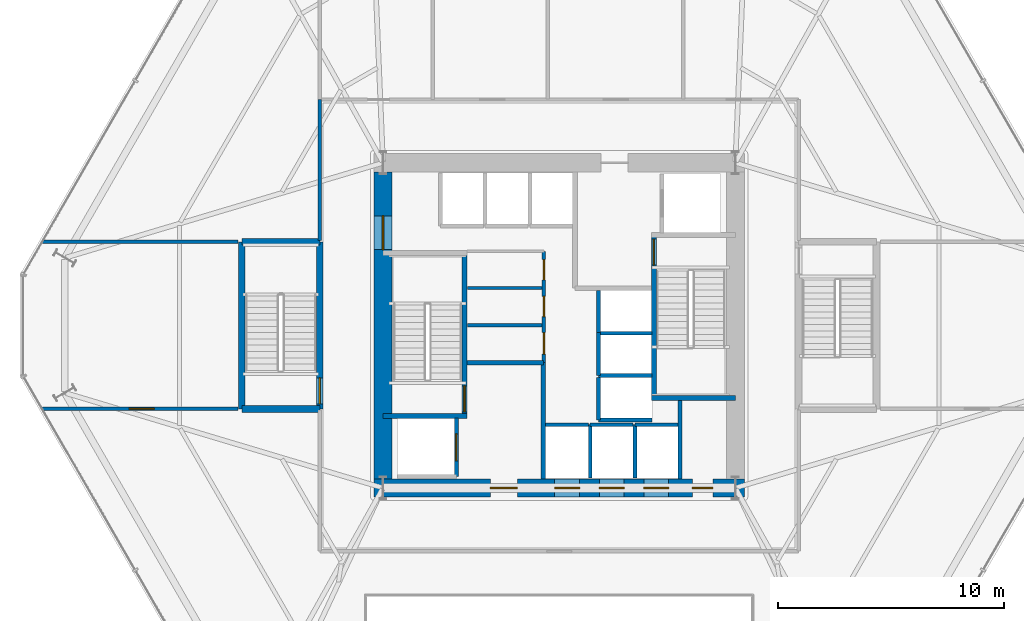
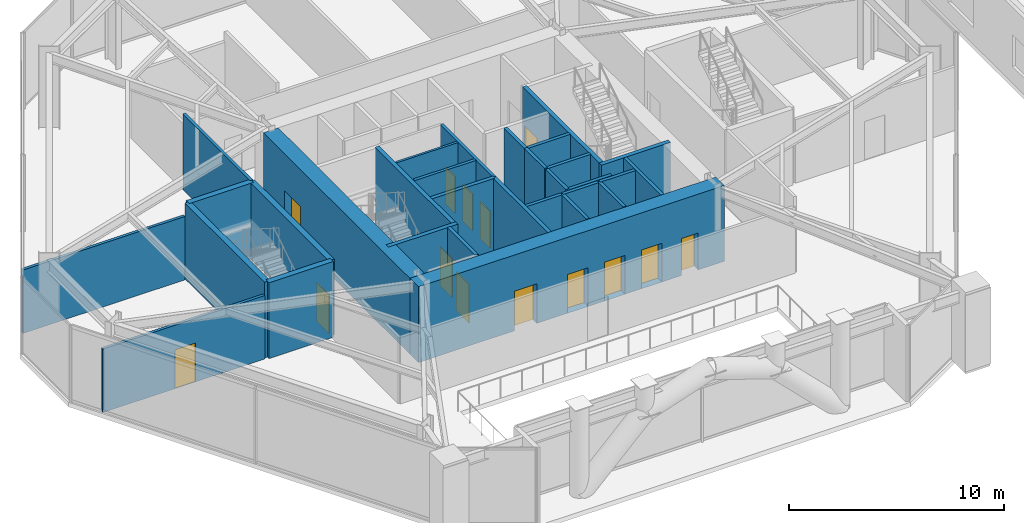
# One storey, part 16 of 23: 31 walls, 14 doors, 14 openings.
"""IFC4 building model written with IfcOpenShell, lengths in metres."""

from ifc_helpers import new_model, si_unit, direction, frame, frame_2d, origin, place, context, subcontext, project, spatial, rectangle, extrude, material, layer, layer_set, type_object, element, fill, save


model = new_model("IFC4")

# Units and contexts
model_context = context("Model", 3, precision=1e-05, world=origin(), true_north=direction((0.0, 1.0)))
body_context = subcontext(model_context, "Body", "Model", "MODEL_VIEW")
ifc_project = project(units=[si_unit("LENGTHUNIT", "METRE"), si_unit("AREAUNIT", "SQUARE_METRE"), si_unit("VOLUMEUNIT", "CUBIC_METRE"), si_unit("PLANEANGLEUNIT", "RADIAN"), si_unit("MASSUNIT", "GRAM", prefix="KILO")], contexts=[model_context])

# Site, building, storey
site_placement = place(None, origin())
site = spatial("IfcSite", under=ifc_project, at=site_placement, CompositionType="ELEMENT")
building_placement = place(site_placement, origin())
building = spatial("IfcBuilding", under=site, at=building_placement, Name="Kranzbogen Civic Tower", CompositionType="ELEMENT")
storey_placement = place(building_placement, frame((0.0, 0.0, 14.39990234375)))
storey = spatial("IfcBuildingStorey", under=building, at=storey_placement, Name="L03", CompositionType="ELEMENT", Elevation=14.39990234375)

# Wall
ifc_material_1 = material(Name="Double-Stud Acoustic Gypsum Partition")
ifc_layer_1 = layer(ifc_material_1, 0.14990234375, Name="Double-Stud Acoustic Gypsum Partition")
ifc_layer_set_1 = layer_set([ifc_layer_1], Name="Double-Stud Acoustic Gypsum Partition")
wall_type_1 = type_object("IfcWallType", Name="Acoustic Corridor and Clinical Partition 150 mm", PredefinedType="PARTITIONING", material=ifc_layer_set_1)
wall_1_placement = place(storey_placement, frame((14.39990234375, 28.75, 0.0), z_axis=(0.0, 0.0, 1.0), x_axis=(0.0, 1.0, 0.0)))
element("IfcWall", 1, at=wall_1_placement, inside=storey, type_object=wall_type_1, Name="L03 podium concourse W2 wall", PredefinedType="PARTITIONING", context=body_context, shape_type="SweptSolid", body=[
    extrude(rectangle(XDim=6.25, YDim=0.14990234375, at=frame_2d((3.125, 0.0))), origin(), (0.0, 0.0, 1.0), 4.300048828125),
])

# Wall, opening, door
wall_2_placement = place(storey_placement, frame((2.080078125, 21.300048828125, 0.0), z_axis=(0.0, 0.0, 1.0), x_axis=(1.0, 0.0, 0.0)))
wall_2 = element("IfcWall", 2, at=wall_2_placement, inside=storey, type_object=wall_type_1, Name="L03 podium partition 04", PredefinedType="PARTITIONING", context=body_context, shape_type="SweptSolid", body=[
    extrude(rectangle(XDim=8.68994140625, YDim=0.14990234375, at=frame_2d((4.344970703125, 0.0))), origin(), (0.0, 0.0, 1.0), 3.60009765625),
])
opening_1_placement = place(wall_2_placement, frame((3.884033203125, 0.0, 0.0)))
opening_1 = element("IfcOpeningElement", 3, at=opening_1_placement, cuts=wall_2, Name="Opening D-COR60", PredefinedType="OPENING", context=body_context, shape_type="SweptSolid", body=[
    extrude(rectangle(XDim=1.10009765625, YDim=2.199951171875, at=frame_2d((0.550048828125, 1.10009765625))), frame((0.0, 0.0849609375, 0.0), z_axis=(0.0, -1.0, 0.0), x_axis=(1.0, 0.0, 0.0)), (0.0, 0.0, 1.0), 0.169921875),
])
ifc_material_2 = material(Name="Oak Timber and Fire Core", Category="wood")
door_type_1 = type_object("IfcDoorType", Name="Corridor Acoustic Fire Door 1100x2200", OperationType="NOTDEFINED", PredefinedType="DOOR", material=ifc_material_2)
door_1_placement = place(opening_1_placement, origin())
door_1 = element("IfcDoor", 4, at=door_1_placement, inside=storey, type_object=door_type_1, Name="L03 Committee Secretariat door", OperationType="SINGLE_SWING_RIGHT", OverallHeight=2.199951171875, OverallWidth=1.10009765625, PredefinedType="DOOR", context=body_context, shape_type="SweptSolid", body=[
    extrude(rectangle(XDim=1.10009765625, YDim=2.199951171875, at=frame_2d((0.550048828125, 1.10009765625))), frame((0.0, 0.02490234375, 0.0), z_axis=(0.0, -1.0, 0.0), x_axis=(1.0, 0.0, 0.0)), (0.0, 0.0, 1.0), 0.050048828125),
])
fill(opening_1, door_1)

# Walls
wall_3_placement = place(storey_placement, frame((2.080078125, 28.699951171875, 0.0), z_axis=(0.0, 0.0, 1.0), x_axis=(1.0, 0.0, 0.0)))
element("IfcWall", 5, at=wall_3_placement, inside=storey, type_object=wall_type_1, Name="L03 podium partition 05", PredefinedType="PARTITIONING", context=body_context, shape_type="SweptSolid", body=[
    extrude(rectangle(XDim=8.68994140625, YDim=0.14990234375, at=frame_2d((4.344970703125, 0.0))), origin(), (0.0, 0.0, 1.0), 3.60009765625),
])
ifc_material_3 = material(Name="Insulated Metal-Stud Gypsum Partition")
ifc_layer_2 = layer(ifc_material_3, 0.125, Name="Insulated Metal-Stud Gypsum Partition")
ifc_layer_set_2 = layer_set([ifc_layer_2], Name="Insulated Metal-Stud Gypsum Partition")
wall_type_2 = type_object("IfcWallType", Name="Acoustic Inter-Room Partition 125 mm", PredefinedType="PARTITIONING", material=ifc_layer_set_2)
wall_4_placement = place(storey_placement, frame((20.949951171875, 26.659912109375, 0.0), z_axis=(0.0, 0.0, 1.0), x_axis=(1.0, 0.0, 0.0)))
element("IfcWall", 6, at=wall_4_placement, inside=storey, type_object=wall_type_2, Name="L03 core auxiliary partition 2", PredefinedType="PARTITIONING", context=body_context, shape_type="SweptSolid", body=[
    extrude(rectangle(XDim=3.300048828125, YDim=0.125, at=frame_2d((1.64990234375, 0.0))), origin(), (0.0, 0.0, 1.0), 4.300048828125),
])

# Wall, openings, doors
ifc_material_4 = material(Name="Concrete C55/67", Category="concrete")
ifc_layer_3 = layer(ifc_material_4, 0.800048828125, Name="Concrete C55/67")
ifc_layer_set_3 = layer_set([ifc_layer_3], Name="Concrete C55/67")
wall_type_3 = type_object("IfcWallType", Name="Central Core Shear Wall 800 mm", PredefinedType="SHEAR", material=ifc_layer_set_3)
wall_5_placement = place(storey_placement, frame((16.800048828125, 17.800048828125, 0.0), z_axis=(0.0, 0.0, 1.0), x_axis=(1.0, 0.0, 0.0)))
wall_5 = element("IfcWall", 7, at=wall_5_placement, inside=storey, type_object=wall_type_3, Name="L03 central core South shear wall", PredefinedType="SHEAR", context=body_context, shape_type="SweptSolid", body=[
    extrude(rectangle(XDim=16.39990234375, YDim=0.800048828125, at=frame_2d((8.199951171875, 0.0))), origin(), (0.0, 0.0, 1.0), 4.300048828125),
])
opening_2_placement = place(wall_5_placement, frame((5.14990234375, 0.0, 0.0)))
opening_2 = element("IfcOpeningElement", 8, at=opening_2_placement, cuts=wall_5, Name="Opening D-EX120", PredefinedType="OPENING", context=body_context, shape_type="SweptSolid", body=[
    extrude(rectangle(XDim=1.199951171875, YDim=2.25, at=frame_2d((0.60009765625, 1.125))), frame((0.0, 0.41015625, 0.0), z_axis=(0.0, -1.0, 0.0), x_axis=(1.0, 0.0, 0.0)), (0.0, 0.0, 1.0), 0.820068359375),
])
opening_3_placement = place(wall_5_placement, frame((14.10009765625, 0.0, 0.0)))
opening_3 = element("IfcOpeningElement", 9, at=opening_3_placement, cuts=wall_5, Name="Opening D-WC90", PredefinedType="OPENING", context=body_context, shape_type="SweptSolid", body=[
    extrude(rectangle(XDim=0.89990234375, YDim=2.10009765625, at=frame_2d((0.449951171875, 1.050048828125))), frame((0.0, 0.41015625, 0.0), z_axis=(0.0, -1.0, 0.0), x_axis=(1.0, 0.0, 0.0)), (0.0, 0.0, 1.0), 0.820068359375),
])
opening_4_placement = place(wall_5_placement, frame((8.0, 0.0, 0.0)))
opening_4 = element("IfcOpeningElement", 10, at=opening_4_placement, cuts=wall_5, Name="Opening LD-LP-01", PredefinedType="OPENING", context=body_context, shape_type="SweptSolid", body=[
    extrude(rectangle(XDim=1.10009765625, YDim=2.199951171875, at=frame_2d((0.550048828125, 1.10009765625))), frame((0.0, 0.41015625, 0.0), z_axis=(0.0, -1.0, 0.0), x_axis=(1.0, 0.0, 0.0)), (0.0, 0.0, 1.0), 0.820068359375),
])
opening_5_placement = place(wall_5_placement, frame((9.97509765625, 0.0, 0.0)))
opening_5 = element("IfcOpeningElement", 11, at=opening_5_placement, cuts=wall_5, Name="Opening LD-LP-02", PredefinedType="OPENING", context=body_context, shape_type="SweptSolid", body=[
    extrude(rectangle(XDim=1.10009765625, YDim=2.199951171875, at=frame_2d((0.550048828125, 1.10009765625))), frame((0.0, 0.41015625, 0.0), z_axis=(0.0, -1.0, 0.0), x_axis=(1.0, 0.0, 0.0)), (0.0, 0.0, 1.0), 0.820068359375),
])
opening_6_placement = place(wall_5_placement, frame((11.949951171875, 0.0, 0.0)))
opening_6 = element("IfcOpeningElement", 12, at=opening_6_placement, cuts=wall_5, Name="Opening LD-LP-03", PredefinedType="OPENING", context=body_context, shape_type="SweptSolid", body=[
    extrude(rectangle(XDim=1.10009765625, YDim=2.199951171875, at=frame_2d((0.550048828125, 1.10009765625))), frame((0.0, 0.41015625, 0.0), z_axis=(0.0, -1.0, 0.0), x_axis=(1.0, 0.0, 0.0)), (0.0, 0.0, 1.0), 0.820068359375),
])
ifc_material_5 = material(Name="Steel S355", Category="steel")
door_type_2 = type_object("IfcDoorType", Name="Exit Passageway Fire Door 1200x2250", OperationType="NOTDEFINED", PredefinedType="DOOR", material=ifc_material_5)
door_2_placement = place(opening_2_placement, origin())
door_2 = element("IfcDoor", 13, at=door_2_placement, inside=storey, type_object=door_type_2, Name="L03 West firefighting lobby corridor door", OperationType="SINGLE_SWING_RIGHT", OverallHeight=2.25, OverallWidth=1.199951171875, PredefinedType="DOOR", context=body_context, shape_type="SweptSolid", body=[
    extrude(rectangle(XDim=1.199951171875, YDim=2.25, at=frame_2d((0.60009765625, 1.125))), frame((0.0, 0.02490234375, 0.0), z_axis=(0.0, -1.0, 0.0), x_axis=(1.0, 0.0, 0.0)), (0.0, 0.0, 1.0), 0.050048828125),
])
fill(opening_2, door_2)
ifc_material_6 = material(Name="Pale Anodised Aluminium", Category="aluminium")
door_type_3 = type_object("IfcDoorType", Name="Passenger Lift Sliding Landing Door 1100x2200", OperationType="DOUBLE_DOOR_SLIDING", PredefinedType="DOOR", material=ifc_material_6)
door_3_placement = place(opening_4_placement, origin())
door_3 = element("IfcDoor", 14, at=door_3_placement, inside=storey, type_object=door_type_3, Name="L03 lift LP-01 sliding landing door", OperationType="DOUBLE_DOOR_SLIDING", OverallHeight=2.199951171875, OverallWidth=1.10009765625, PredefinedType="DOOR", context=body_context, shape_type="SweptSolid", body=[
    extrude(rectangle(XDim=1.10009765625, YDim=2.199951171875, at=frame_2d((0.550048828125, 1.10009765625))), frame((0.0, 0.02490234375, 0.0), z_axis=(0.0, -1.0, 0.0), x_axis=(1.0, 0.0, 0.0)), (0.0, 0.0, 1.0), 0.050048828125),
])
fill(opening_4, door_3)
door_4_placement = place(opening_5_placement, origin())
door_4 = element("IfcDoor", 15, at=door_4_placement, inside=storey, type_object=door_type_3, Name="L03 lift LP-02 sliding landing door", OperationType="DOUBLE_DOOR_SLIDING", OverallHeight=2.199951171875, OverallWidth=1.10009765625, PredefinedType="DOOR", context=body_context, shape_type="SweptSolid", body=[
    extrude(rectangle(XDim=1.10009765625, YDim=2.199951171875, at=frame_2d((0.550048828125, 1.10009765625))), frame((0.0, 0.02490234375, 0.0), z_axis=(0.0, -1.0, 0.0), x_axis=(1.0, 0.0, 0.0)), (0.0, 0.0, 1.0), 0.050048828125),
])
fill(opening_5, door_4)
door_5_placement = place(opening_6_placement, origin())
door_5 = element("IfcDoor", 16, at=door_5_placement, inside=storey, type_object=door_type_3, Name="L03 lift LP-03 sliding landing door", OperationType="DOUBLE_DOOR_SLIDING", OverallHeight=2.199951171875, OverallWidth=1.10009765625, PredefinedType="DOOR", context=body_context, shape_type="SweptSolid", body=[
    extrude(rectangle(XDim=1.10009765625, YDim=2.199951171875, at=frame_2d((0.550048828125, 1.10009765625))), frame((0.0, 0.02490234375, 0.0), z_axis=(0.0, -1.0, 0.0), x_axis=(1.0, 0.0, 0.0)), (0.0, 0.0, 1.0), 0.050048828125),
])
fill(opening_6, door_5)
ifc_material_7 = material(Name="Moisture-Resistant Laminate")
door_type_4 = type_object("IfcDoorType", Name="Standard Restroom and Store Door 900x2100", OperationType="NOTDEFINED", PredefinedType="DOOR", material=ifc_material_7)
door_6_placement = place(opening_3_placement, origin())
door_6 = element("IfcDoor", 17, at=door_6_placement, inside=storey, type_object=door_type_4, Name="L03 East electrical riser access door", OperationType="SINGLE_SWING_LEFT", OverallHeight=2.10009765625, OverallWidth=0.89990234375, PredefinedType="DOOR", context=body_context, shape_type="SweptSolid", body=[
    extrude(rectangle(XDim=0.89990234375, YDim=2.10009765625, at=frame_2d((0.449951171875, 1.050048828125))), frame((0.0, 0.02490234375, 0.0), z_axis=(0.0, -1.0, 0.0), x_axis=(1.0, 0.0, 0.0)), (0.0, 0.0, 1.0), 0.050048828125),
])
fill(opening_3, door_6)

# Wall, opening, door
wall_6_placement = place(storey_placement, frame((17.199951171875, 31.800048828125, 0.0), z_axis=(0.0, 0.0, 1.0), x_axis=(0.0, -1.0, 0.0)))
wall_6 = element("IfcWall", 18, at=wall_6_placement, inside=storey, type_object=wall_type_3, Name="L03 central core West shear wall", PredefinedType="SHEAR", context=body_context, shape_type="SweptSolid", body=[
    extrude(rectangle(XDim=13.60009765625, YDim=0.800048828125, at=frame_2d((6.800048828125, 0.0))), origin(), (0.0, 0.0, 1.0), 4.300048828125),
])
opening_7_placement = place(wall_6_placement, frame((1.949951171875, 0.0, 0.0)))
opening_7 = element("IfcOpeningElement", 19, at=opening_7_placement, cuts=wall_6, Name="Opening D-DBL15", PredefinedType="OPENING", context=body_context, shape_type="SweptSolid", body=[
    extrude(rectangle(XDim=1.5, YDim=2.199951171875, at=frame_2d((0.75, 1.10009765625))), frame((0.0, 0.41015625, 0.0), z_axis=(0.0, -1.0, 0.0), x_axis=(1.0, 0.0, 0.0)), (0.0, 0.0, 1.0), 0.820068359375),
])
ifc_material_8 = material(Name="Anodised Bronze and Glass", Category="glass")
door_type_5 = type_object("IfcDoorType", Name="Civic Lobby Double Door 1500x2200", OperationType="DOUBLE_DOOR_SINGLE_SWING", PredefinedType="DOOR", material=ifc_material_8)
door_7_placement = place(opening_7_placement, origin())
door_7 = element("IfcDoor", 20, at=door_7_placement, inside=storey, type_object=door_type_5, Name="L03 Central Lift Lobby West concourse door", OperationType="DOUBLE_DOOR_SINGLE_SWING", OverallHeight=2.199951171875, OverallWidth=1.5, PredefinedType="DOOR", context=body_context, shape_type="SweptSolid", body=[
    extrude(rectangle(XDim=1.5, YDim=2.199951171875, at=frame_2d((0.75, 1.10009765625))), frame((0.0, 0.02490234375, 0.0), z_axis=(0.0, -1.0, 0.0), x_axis=(1.0, 0.0, 0.0)), (0.0, 0.0, 1.0), 0.050048828125),
])
fill(opening_7, door_7)

ifc_material_9 = material(Name="Concrete C45/55", Category="concrete")
ifc_layer_4 = layer(ifc_material_9, 0.219970703125, Name="Concrete C45/55")
ifc_layer_set_4 = layer_set([ifc_layer_4], Name="Concrete C45/55")
wall_type_4 = type_object("IfcWallType", Name="Core Internal Stair Structural Wall 220 mm", PredefinedType="SOLIDWALL", material=ifc_layer_set_4)
wall_7_placement = place(storey_placement, frame((20.81005859375, 20.989990234375, 0.0), z_axis=(0.0, 0.0, 1.0), x_axis=(0.0, 1.0, 0.0)))
wall_7 = element("IfcWall", 21, at=wall_7_placement, inside=storey, type_object=wall_type_4, Name="L03 ST-T1 East structural stair wall", PredefinedType="SOLIDWALL", context=body_context, shape_type="SweptSolid", body=[
    extrude(rectangle(XDim=7.219970703125, YDim=0.219970703125, at=frame_2d((3.60986328125, 0.0))), origin(), (0.0, 0.0, 1.0), 4.300048828125),
])
opening_8_placement = place(wall_7_placement, frame((0.179931640625, 0.0, 0.0)))
opening_8 = element("IfcOpeningElement", 22, at=opening_8_placement, cuts=wall_7, Name="Opening D-ST90", PredefinedType="OPENING", context=body_context, shape_type="SweptSolid", body=[
    extrude(rectangle(XDim=1.14990234375, YDim=2.199951171875, at=frame_2d((0.574951171875, 1.10009765625))), frame((0.0, 0.1201171875, 0.0), z_axis=(0.0, -1.0, 0.0), x_axis=(1.0, 0.0, 0.0)), (0.0, 0.0, 1.0), 0.239990234375),
])
door_type_6 = type_object("IfcDoorType", Name="Pressurized Stair and Lobby Fire Door 1150x2200", OperationType="NOTDEFINED", PredefinedType="DOOR", material=ifc_material_5)
door_8_placement = place(opening_8_placement, origin())
door_8 = element("IfcDoor", 23, at=door_8_placement, inside=storey, type_object=door_type_6, Name="L03 Stair ST-T1 fire door", OperationType="SINGLE_SWING_RIGHT", OverallHeight=2.199951171875, OverallWidth=1.14990234375, PredefinedType="DOOR", context=body_context, shape_type="SweptSolid", body=[
    extrude(rectangle(XDim=1.14990234375, YDim=2.199951171875, at=frame_2d((0.574951171875, 1.10009765625))), frame((0.0, 0.02490234375, 0.0), z_axis=(0.0, -1.0, 0.0), x_axis=(1.0, 0.0, 0.0)), (0.0, 0.0, 1.0), 0.050048828125),
])
fill(opening_8, door_8)

# Wall
wall_8_placement = place(storey_placement, frame((17.199951171875, 20.989990234375, 0.0), z_axis=(0.0, 0.0, 1.0), x_axis=(1.0, 0.0, 0.0)))
element("IfcWall", 24, at=wall_8_placement, inside=storey, type_object=wall_type_4, Name="L03 ST-T1 South structural stair wall", PredefinedType="SOLIDWALL", context=body_context, shape_type="SweptSolid", body=[
    extrude(rectangle(XDim=3.719970703125, YDim=0.219970703125, at=frame_2d((1.85986328125, 0.0))), origin(), (0.0, 0.0, 1.0), 4.300048828125),
])

# Wall, opening, door
wall_9_placement = place(storey_placement, frame((29.18994140625, 21.7900390625, 0.0), z_axis=(0.0, 0.0, 1.0), x_axis=(0.0, 1.0, 0.0)))
wall_9 = element("IfcWall", 25, at=wall_9_placement, inside=storey, type_object=wall_type_4, Name="L03 ST-T2 West structural stair wall", PredefinedType="SOLIDWALL", context=body_context, shape_type="SweptSolid", body=[
    extrude(rectangle(XDim=7.219970703125, YDim=0.219970703125, at=frame_2d((3.60986328125, 0.0))), origin(), (0.0, 0.0, 1.0), 4.300048828125),
])
opening_9_placement = place(wall_9_placement, frame((5.8798828125, 0.0, 0.0)))
opening_9 = element("IfcOpeningElement", 26, at=opening_9_placement, cuts=wall_9, Name="Opening D-ST90", PredefinedType="OPENING", context=body_context, shape_type="SweptSolid", body=[
    extrude(rectangle(XDim=1.14990234375, YDim=2.199951171875, at=frame_2d((0.574951171875, 1.10009765625))), frame((0.0, 0.1201171875, 0.0), z_axis=(0.0, -1.0, 0.0), x_axis=(1.0, 0.0, 0.0)), (0.0, 0.0, 1.0), 0.239990234375),
])
door_9_placement = place(opening_9_placement, origin())
door_9 = element("IfcDoor", 27, at=door_9_placement, inside=storey, type_object=door_type_6, Name="L03 Stair ST-T2 fire door", OperationType="SINGLE_SWING_LEFT", OverallHeight=2.199951171875, OverallWidth=1.14990234375, PredefinedType="DOOR", context=body_context, shape_type="SweptSolid", body=[
    extrude(rectangle(XDim=1.14990234375, YDim=2.199951171875, at=frame_2d((0.574951171875, 1.10009765625))), frame((0.0, 0.02490234375, 0.0), z_axis=(0.0, -1.0, 0.0), x_axis=(1.0, 0.0, 0.0)), (0.0, 0.0, 1.0), 0.050048828125),
])
fill(opening_9, door_9)

# Walls
wall_10_placement = place(storey_placement, frame((29.080078125, 21.7900390625, 0.0), z_axis=(0.0, 0.0, 1.0), x_axis=(1.0, 0.0, 0.0)))
element("IfcWall", 28, at=wall_10_placement, inside=storey, type_object=wall_type_4, Name="L03 ST-T2 South structural stair wall", PredefinedType="SOLIDWALL", context=body_context, shape_type="SweptSolid", body=[
    extrude(rectangle(XDim=3.719970703125, YDim=0.219970703125, at=frame_2d((1.85986328125, 0.0))), origin(), (0.0, 0.0, 1.0), 4.300048828125),
])
ifc_material_10 = material(Name="Gypsum Fireboard and Concrete Block", Category="concrete")
ifc_layer_5 = layer(ifc_material_10, 0.199951171875, Name="Gypsum Fireboard and Concrete Block")
ifc_layer_set_5 = layer_set([ifc_layer_5], Name="Gypsum Fireboard and Concrete Block")
wall_type_5 = type_object("IfcWallType", Name="Fire-Rated Exit Passageway and Stair Wall 200 mm", PredefinedType="PARTITIONING", material=ifc_layer_set_5)
wall_11_placement = place(storey_placement, frame((24.300048828125, 18.199951171875, 0.0), z_axis=(0.0, 0.0, 1.0), x_axis=(0.0, 1.0, 0.0)))
element("IfcWall", 29, at=wall_11_placement, inside=storey, type_object=wall_type_5, Name="L03 West firefighting lobby East wall", PredefinedType="PARTITIONING", context=body_context, shape_type="SweptSolid", body=[
    extrude(rectangle(XDim=5.150146484375, YDim=0.199951171875, at=frame_2d((2.5751953125, 0.0))), origin(), (0.0, 0.0, 1.0), 4.300048828125),
])
wall_12_placement = place(storey_placement, frame((20.919921875, 23.35009765625, 0.0), z_axis=(0.0, 0.0, 1.0), x_axis=(1.0, 0.0, 0.0)))
element("IfcWall", 30, at=wall_12_placement, inside=storey, type_object=wall_type_5, Name="L03 West firefighting lobby North wall", PredefinedType="PARTITIONING", context=body_context, shape_type="SweptSolid", body=[
    extrude(rectangle(XDim=3.380126953125, YDim=0.199951171875, at=frame_2d((1.68994140625, 0.0))), origin(), (0.0, 0.0, 1.0), 4.300048828125),
])
ifc_material_11 = material(Name="Gypsum Fireboard Shaftliner")
ifc_layer_6 = layer(ifc_material_11, 0.175048828125, Name="Gypsum Fireboard Shaftliner")
ifc_layer_set_6 = layer_set([ifc_layer_6], Name="Gypsum Fireboard Shaftliner")
wall_type_6 = type_object("IfcWallType", Name="Fire-Rated Lift and Service Shaft Wall 175 mm", PredefinedType="PARTITIONING", material=ifc_layer_set_6)
wall_13_placement = place(storey_placement, frame((30.35009765625, 18.199951171875, 0.0), z_axis=(0.0, 0.0, 1.0), x_axis=(0.0, 1.0, 0.0)))
element("IfcWall", 31, at=wall_13_placement, inside=storey, type_object=wall_type_6, Name="L03 East core riser West wall", PredefinedType="PARTITIONING", context=body_context, shape_type="SweptSolid", body=[
    extrude(rectangle(XDim=3.47998046875, YDim=0.175048828125, at=frame_2d((1.739990234375, 0.0))), origin(), (0.0, 0.0, 1.0), 4.300048828125),
])
wall_14_placement = place(storey_placement, frame((24.39990234375, 20.60009765625, 0.0), z_axis=(0.0, 0.0, 1.0), x_axis=(1.0, 0.0, 0.0)))
element("IfcWall", 32, at=wall_14_placement, inside=storey, type_object=wall_type_6, Name="L03 lift LP-01 rear wall", PredefinedType="PARTITIONING", context=body_context, shape_type="SweptSolid", body=[
    extrude(rectangle(XDim=1.900146484375, YDim=0.175048828125, at=frame_2d((0.9501953125, 0.0))), origin(), (0.0, 0.0, 1.0), 4.300048828125),
])
wall_15_placement = place(storey_placement, frame((26.375, 20.60009765625, 0.0), z_axis=(0.0, 0.0, 1.0), x_axis=(1.0, 0.0, 0.0)))
element("IfcWall", 33, at=wall_15_placement, inside=storey, type_object=wall_type_6, Name="L03 lift LP-02 rear wall", PredefinedType="PARTITIONING", context=body_context, shape_type="SweptSolid", body=[
    extrude(rectangle(XDim=1.89990234375, YDim=0.175048828125, at=frame_2d((0.949951171875, 0.0))), origin(), (0.0, 0.0, 1.0), 4.300048828125),
])
wall_16_placement = place(storey_placement, frame((26.375, 18.25, 0.0), z_axis=(0.0, 0.0, 1.0), x_axis=(0.0, 1.0, 0.0)))
element("IfcWall", 34, at=wall_16_placement, inside=storey, type_object=wall_type_6, Name="L03 lift LP-02 side wall", PredefinedType="PARTITIONING", context=body_context, shape_type="SweptSolid", body=[
    extrude(rectangle(XDim=2.35009765625, YDim=0.175048828125, at=frame_2d((1.175048828125, 0.0))), origin(), (0.0, 0.0, 1.0), 4.300048828125),
])
wall_17_placement = place(storey_placement, frame((28.35009765625, 20.60009765625, 0.0), z_axis=(0.0, 0.0, 1.0), x_axis=(1.0, 0.0, 0.0)))
element("IfcWall", 35, at=wall_17_placement, inside=storey, type_object=wall_type_6, Name="L03 lift LP-03 rear wall", PredefinedType="PARTITIONING", context=body_context, shape_type="SweptSolid", body=[
    extrude(rectangle(XDim=1.89990234375, YDim=0.175048828125, at=frame_2d((0.949951171875, 0.0))), origin(), (0.0, 0.0, 1.0), 4.300048828125),
])
wall_18_placement = place(storey_placement, frame((28.35009765625, 18.25, 0.0), z_axis=(0.0, 0.0, 1.0), x_axis=(0.0, 1.0, 0.0)))
element("IfcWall", 36, at=wall_18_placement, inside=storey, type_object=wall_type_6, Name="L03 lift LP-03 side wall", PredefinedType="PARTITIONING", context=body_context, shape_type="SweptSolid", body=[
    extrude(rectangle(XDim=2.35009765625, YDim=0.175048828125, at=frame_2d((1.175048828125, 0.0))), origin(), (0.0, 0.0, 1.0), 4.300048828125),
])
wall_19_placement = place(storey_placement, frame((26.75, 20.800048828125, 0.0), z_axis=(0.0, 0.0, 1.0), x_axis=(0.0, 1.0, 0.0)))
element("IfcWall", 37, at=wall_19_placement, inside=storey, type_object=wall_type_6, Name="L03 lift HP-01 landing wall", PredefinedType="PARTITIONING", context=body_context, shape_type="SweptSolid", body=[
    extrude(rectangle(XDim=1.89990234375, YDim=0.175048828125, at=frame_2d((0.949951171875, 0.0))), origin(), (0.0, 0.0, 1.0), 4.300048828125),
])
wall_20_placement = place(storey_placement, frame((26.75, 20.800048828125, 0.0), z_axis=(0.0, 0.0, 1.0), x_axis=(1.0, 0.0, 0.0)))
element("IfcWall", 38, at=wall_20_placement, inside=storey, type_object=wall_type_6, Name="L03 lift HP-01 side wall", PredefinedType="PARTITIONING", context=body_context, shape_type="SweptSolid", body=[
    extrude(rectangle(XDim=2.35009765625, YDim=0.175048828125, at=frame_2d((1.175048828125, 0.0))), origin(), (0.0, 0.0, 1.0), 4.300048828125),
])
wall_21_placement = place(storey_placement, frame((26.75, 22.77490234375, 0.0), z_axis=(0.0, 0.0, 1.0), x_axis=(0.0, 1.0, 0.0)))
element("IfcWall", 39, at=wall_21_placement, inside=storey, type_object=wall_type_6, Name="L03 lift HP-02 landing wall", PredefinedType="PARTITIONING", context=body_context, shape_type="SweptSolid", body=[
    extrude(rectangle(XDim=1.900146484375, YDim=0.175048828125, at=frame_2d((0.9501953125, 0.0))), origin(), (0.0, 0.0, 1.0), 4.300048828125),
])
wall_22_placement = place(storey_placement, frame((26.75, 22.77490234375, 0.0), z_axis=(0.0, 0.0, 1.0), x_axis=(1.0, 0.0, 0.0)))
element("IfcWall", 40, at=wall_22_placement, inside=storey, type_object=wall_type_6, Name="L03 lift HP-02 side wall", PredefinedType="PARTITIONING", context=body_context, shape_type="SweptSolid", body=[
    extrude(rectangle(XDim=2.35009765625, YDim=0.175048828125, at=frame_2d((1.175048828125, 0.0))), origin(), (0.0, 0.0, 1.0), 4.300048828125),
])
wall_23_placement = place(storey_placement, frame((26.75, 24.64990234375, 0.0), z_axis=(0.0, 0.0, 1.0), x_axis=(0.0, 1.0, 0.0)))
element("IfcWall", 41, at=wall_23_placement, inside=storey, type_object=wall_type_6, Name="L03 lift HP-03 landing wall", PredefinedType="PARTITIONING", context=body_context, shape_type="SweptSolid", body=[
    extrude(rectangle(XDim=1.900146484375, YDim=0.175048828125, at=frame_2d((0.9501953125, 0.0))), origin(), (0.0, 0.0, 1.0), 4.300048828125),
])
wall_24_placement = place(storey_placement, frame((26.75, 24.64990234375, 0.0), z_axis=(0.0, 0.0, 1.0), x_axis=(1.0, 0.0, 0.0)))
element("IfcWall", 42, at=wall_24_placement, inside=storey, type_object=wall_type_6, Name="L03 lift HP-03 side wall", PredefinedType="PARTITIONING", context=body_context, shape_type="SweptSolid", body=[
    extrude(rectangle(XDim=2.35009765625, YDim=0.175048828125, at=frame_2d((1.175048828125, 0.0))), origin(), (0.0, 0.0, 1.0), 4.300048828125),
])

# Wall, opening, door
wall_25_placement = place(storey_placement, frame((20.449951171875, 18.300048828125, 0.0), z_axis=(0.0, 0.0, 1.0), x_axis=(0.0, 1.0, 0.0)))
wall_25 = element("IfcWall", 43, at=wall_25_placement, inside=storey, type_object=wall_type_6, Name="L03 lift FF-01 landing wall", PredefinedType="PARTITIONING", context=body_context, shape_type="SweptSolid", body=[
    extrude(rectangle(XDim=2.599853515625, YDim=0.175048828125, at=frame_2d((1.2998046875, 0.0))), origin(), (0.0, 0.0, 1.0), 4.300048828125),
])
opening_10_placement = place(wall_25_placement, frame((0.699951171875, 0.0, 0.0)))
opening_10 = element("IfcOpeningElement", 44, at=opening_10_placement, cuts=wall_25, Name="Opening LD-FF-01", PredefinedType="OPENING", context=body_context, shape_type="SweptSolid", body=[
    extrude(rectangle(XDim=1.199951171875, YDim=2.199951171875, at=frame_2d((0.60009765625, 1.10009765625))), frame((0.0, 0.09765625, 0.0), z_axis=(0.0, -1.0, 0.0), x_axis=(1.0, 0.0, 0.0)), (0.0, 0.0, 1.0), 0.195068359375),
])
door_type_7 = type_object("IfcDoorType", Name="Firefighting and Stretcher Lift Sliding Landing Door 1200x2200", OperationType="DOUBLE_DOOR_SLIDING", PredefinedType="DOOR", material=ifc_material_6)
door_10_placement = place(opening_10_placement, origin())
door_10 = element("IfcDoor", 45, at=door_10_placement, inside=storey, type_object=door_type_7, Name="L03 lift FF-01 sliding landing door", OperationType="DOUBLE_DOOR_SLIDING", OverallHeight=2.199951171875, OverallWidth=1.199951171875, PredefinedType="DOOR", context=body_context, shape_type="SweptSolid", body=[
    extrude(rectangle(XDim=1.199951171875, YDim=2.199951171875, at=frame_2d((0.60009765625, 1.10009765625))), frame((0.0, 0.02490234375, 0.0), z_axis=(0.0, -1.0, 0.0), x_axis=(1.0, 0.0, 0.0)), (0.0, 0.0, 1.0), 0.050048828125),
])
fill(opening_10, door_10)

# Wall, openings, doors
ifc_material_12 = material(Name="Moisture-Resistant Gypsum Assembly")
ifc_layer_7 = layer(ifc_material_12, 0.159912109375, Name="Moisture-Resistant Gypsum Assembly")
ifc_layer_set_7 = layer_set([ifc_layer_7], Name="Moisture-Resistant Gypsum Assembly")
wall_type_7 = type_object("IfcWallType", Name="Sanitary and Plumbing Wet Wall 160 mm", PredefinedType="PLUMBINGWALL", material=ifc_layer_set_7)
wall_26_placement = place(storey_placement, frame((24.324951171875, 23.35009765625, 0.0), z_axis=(0.0, 0.0, 1.0), x_axis=(0.0, 1.0, 0.0)))
wall_26 = element("IfcWall", 46, at=wall_26_placement, inside=storey, type_object=wall_type_7, Name="L03 core auxiliary East wall", PredefinedType="PLUMBINGWALL", context=body_context, shape_type="SweptSolid", body=[
    extrude(rectangle(XDim=4.929931640625, YDim=0.159912109375, at=frame_2d((2.46484375, 0.0))), origin(), (0.0, 0.0, 1.0), 4.300048828125),
])
opening_11_placement = place(wall_26_placement, frame((0.375, 0.0, 0.0)))
opening_11 = element("IfcOpeningElement", 47, at=opening_11_placement, cuts=wall_26, Name="Opening D-AWC95", PredefinedType="OPENING", context=body_context, shape_type="SweptSolid", body=[
    extrude(rectangle(XDim=0.949951171875, YDim=2.10009765625, at=frame_2d((0.47509765625, 1.050048828125))), frame((0.0, 0.08984375, 0.0), z_axis=(0.0, -1.0, 0.0), x_axis=(1.0, 0.0, 0.0)), (0.0, 0.0, 1.0), 0.179931640625),
])
opening_12_placement = place(wall_26_placement, frame((2.034912109375, 0.0, 0.0)))
opening_12 = element("IfcOpeningElement", 48, at=opening_12_placement, cuts=wall_26, Name="Opening D-WC90", PredefinedType="OPENING", context=body_context, shape_type="SweptSolid", body=[
    extrude(rectangle(XDim=0.89990234375, YDim=2.10009765625, at=frame_2d((0.449951171875, 1.050048828125))), frame((0.0, 0.08984375, 0.0), z_axis=(0.0, -1.0, 0.0), x_axis=(1.0, 0.0, 0.0)), (0.0, 0.0, 1.0), 0.179931640625),
])
opening_13_placement = place(wall_26_placement, frame((3.659912109375, 0.0, 0.0)))
opening_13 = element("IfcOpeningElement", 49, at=opening_13_placement, cuts=wall_26, Name="Opening D-WC90", PredefinedType="OPENING", context=body_context, shape_type="SweptSolid", body=[
    extrude(rectangle(XDim=0.89990234375, YDim=2.10009765625, at=frame_2d((0.449951171875, 1.050048828125))), frame((0.0, 0.08984375, 0.0), z_axis=(0.0, -1.0, 0.0), x_axis=(1.0, 0.0, 0.0)), (0.0, 0.0, 1.0), 0.179931640625),
])
door_type_8 = type_object("IfcDoorType", Name="Accessible Restroom Door 950x2100", OperationType="NOTDEFINED", PredefinedType="DOOR", material=ifc_material_7)
door_11_placement = place(opening_11_placement, origin())
door_11 = element("IfcDoor", 50, at=door_11_placement, inside=storey, type_object=door_type_8, Name="L03 Accessible Restroom door", OperationType="SINGLE_SWING_RIGHT", OverallHeight=2.10009765625, OverallWidth=0.949951171875, PredefinedType="DOOR", context=body_context, shape_type="SweptSolid", body=[
    extrude(rectangle(XDim=0.949951171875, YDim=2.10009765625, at=frame_2d((0.47509765625, 1.050048828125))), frame((0.0, 0.02490234375, 0.0), z_axis=(0.0, -1.0, 0.0), x_axis=(1.0, 0.0, 0.0)), (0.0, 0.0, 1.0), 0.050048828125),
])
fill(opening_11, door_11)
door_12_placement = place(opening_12_placement, origin())
door_12 = element("IfcDoor", 51, at=door_12_placement, inside=storey, type_object=door_type_4, Name="L03 Staff Restroom door", OperationType="SINGLE_SWING_LEFT", OverallHeight=2.10009765625, OverallWidth=0.89990234375, PredefinedType="DOOR", context=body_context, shape_type="SweptSolid", body=[
    extrude(rectangle(XDim=0.89990234375, YDim=2.10009765625, at=frame_2d((0.449951171875, 1.050048828125))), frame((0.0, 0.02490234375, 0.0), z_axis=(0.0, -1.0, 0.0), x_axis=(1.0, 0.0, 0.0)), (0.0, 0.0, 1.0), 0.050048828125),
])
fill(opening_12, door_12)
door_13_placement = place(opening_13_placement, origin())
door_13 = element("IfcDoor", 52, at=door_13_placement, inside=storey, type_object=door_type_4, Name="L03 Cleaner and Janitor Store door", OperationType="SINGLE_SWING_RIGHT", OverallHeight=2.10009765625, OverallWidth=0.89990234375, PredefinedType="DOOR", context=body_context, shape_type="SweptSolid", body=[
    extrude(rectangle(XDim=0.89990234375, YDim=2.10009765625, at=frame_2d((0.449951171875, 1.050048828125))), frame((0.0, 0.02490234375, 0.0), z_axis=(0.0, -1.0, 0.0), x_axis=(1.0, 0.0, 0.0)), (0.0, 0.0, 1.0), 0.050048828125),
])
fill(opening_13, door_13)

# Wall
wall_27_placement = place(storey_placement, frame((20.949951171875, 25.010009765625, 0.0), z_axis=(0.0, 0.0, 1.0), x_axis=(1.0, 0.0, 0.0)))
element("IfcWall", 53, at=wall_27_placement, inside=storey, type_object=wall_type_7, Name="L03 core auxiliary partition 1", PredefinedType="PLUMBINGWALL", context=body_context, shape_type="SweptSolid", body=[
    extrude(rectangle(XDim=3.300048828125, YDim=0.159912109375, at=frame_2d((1.64990234375, 0.0))), origin(), (0.0, 0.0, 1.0), 4.300048828125),
])

# Wall, opening, door
ifc_material_13 = material(Name="Concrete C40/50", Category="concrete")
ifc_layer_8 = layer(ifc_material_13, 0.300048828125, Name="Concrete C40/50")
ifc_layer_set_8 = layer_set([ifc_layer_8], Name="Concrete C40/50")
wall_type_8 = type_object("IfcWallType", Name="Structural Ramp and Stair Shaft Wall 300 mm", PredefinedType="SOLIDWALL", material=ifc_layer_set_8)
wall_28_placement = place(storey_placement, frame((14.39990234375, 21.300048828125, 0.0), z_axis=(0.0, 0.0, 1.0), x_axis=(0.0, 1.0, 0.0)))
wall_28 = element("IfcWall", 54, at=wall_28_placement, inside=storey, type_object=wall_type_8, Name="L03 STP1 E structural stair wall", PredefinedType="SOLIDWALL", context=body_context, shape_type="SweptSolid", body=[
    extrude(rectangle(XDim=7.39990234375, YDim=0.300048828125, at=frame_2d((3.699951171875, 0.0))), origin(), (0.0, 0.0, 1.0), 4.300048828125),
])
opening_14_placement = place(wall_28_placement, frame((0.219970703125, 0.0, 0.0)))
opening_14 = element("IfcOpeningElement", 55, at=opening_14_placement, cuts=wall_28, Name="Opening D-ST90", PredefinedType="OPENING", context=body_context, shape_type="SweptSolid", body=[
    extrude(rectangle(XDim=1.14990234375, YDim=2.199951171875, at=frame_2d((0.574951171875, 1.10009765625))), frame((0.0, 0.16015625, 0.0), z_axis=(0.0, -1.0, 0.0), x_axis=(1.0, 0.0, 0.0)), (0.0, 0.0, 1.0), 0.320068359375),
])
door_14_placement = place(opening_14_placement, origin())
door_14 = element("IfcDoor", 56, at=door_14_placement, inside=storey, type_object=door_type_6, Name="L03 Podium Stair 1 fire door", OperationType="SINGLE_SWING_LEFT", OverallHeight=2.199951171875, OverallWidth=1.14990234375, PredefinedType="DOOR", context=body_context, shape_type="SweptSolid", body=[
    extrude(rectangle(XDim=1.14990234375, YDim=2.199951171875, at=frame_2d((0.574951171875, 1.10009765625))), frame((0.0, 0.02490234375, 0.0), z_axis=(0.0, -1.0, 0.0), x_axis=(1.0, 0.0, 0.0)), (0.0, 0.0, 1.0), 0.050048828125),
])
fill(opening_14, door_14)

# Walls
wall_29_placement = place(storey_placement, frame((10.949951171875, 21.300048828125, 0.0), z_axis=(0.0, 0.0, 1.0), x_axis=(0.0, 1.0, 0.0)))
element("IfcWall", 57, at=wall_29_placement, inside=storey, type_object=wall_type_8, Name="L03 STP1 W structural stair wall", PredefinedType="SOLIDWALL", context=body_context, shape_type="SweptSolid", body=[
    extrude(rectangle(XDim=7.39990234375, YDim=0.300048828125, at=frame_2d((3.699951171875, 0.0))), origin(), (0.0, 0.0, 1.0), 4.300048828125),
])
for number, where, z_axis, x_axis, name in (
    (58, (10.949951171875, 21.300048828125, 0.0), (0.0, 0.0, 1.0), (1.0, 0.0, 0.0), "L03 STP1 S structural stair wall"),
    (59, (10.949951171875, 28.699951171875, 0.0), (0.0, 0.0, 1.0), (1.0, 0.0, 0.0), "L03 STP1 N structural stair wall"),
):
    element("IfcWall", number, at=place(storey_placement, frame(where, z_axis=z_axis, x_axis=x_axis)), inside=storey, type_object=wall_type_8, Name=name, PredefinedType="SOLIDWALL", context=body_context, shape_type="SweptSolid", body=[
        extrude(rectangle(XDim=3.449951171875, YDim=0.300048828125, at=frame_2d((1.72509765625, 0.0))), origin(), (0.0, 0.0, 1.0), 4.300048828125),
    ])

save(model, "model.ifc")
